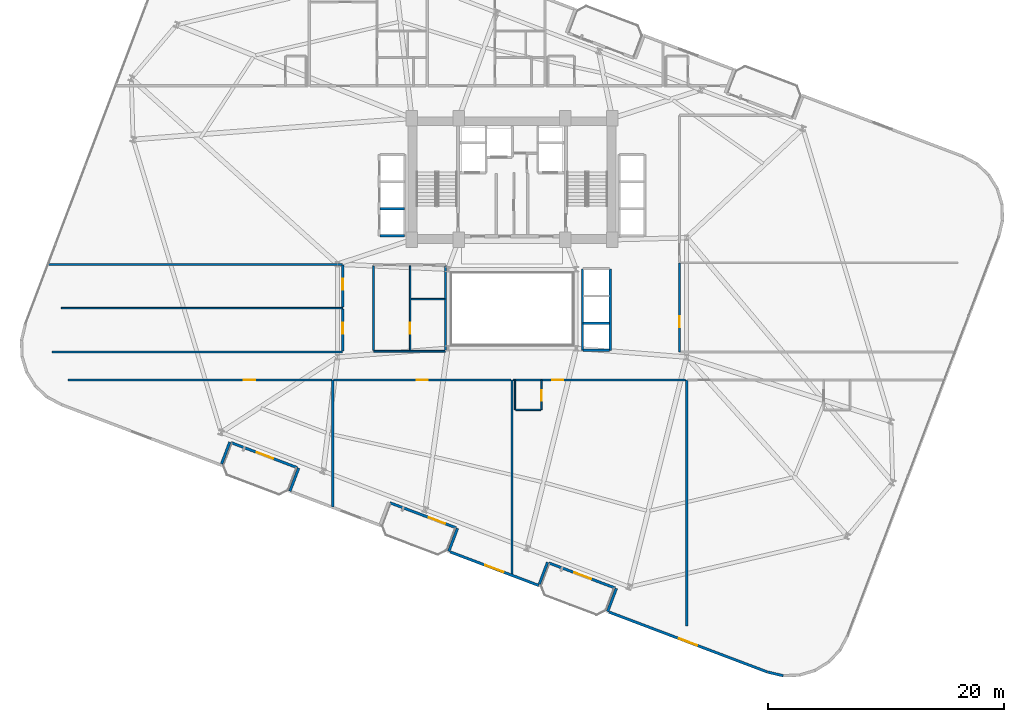
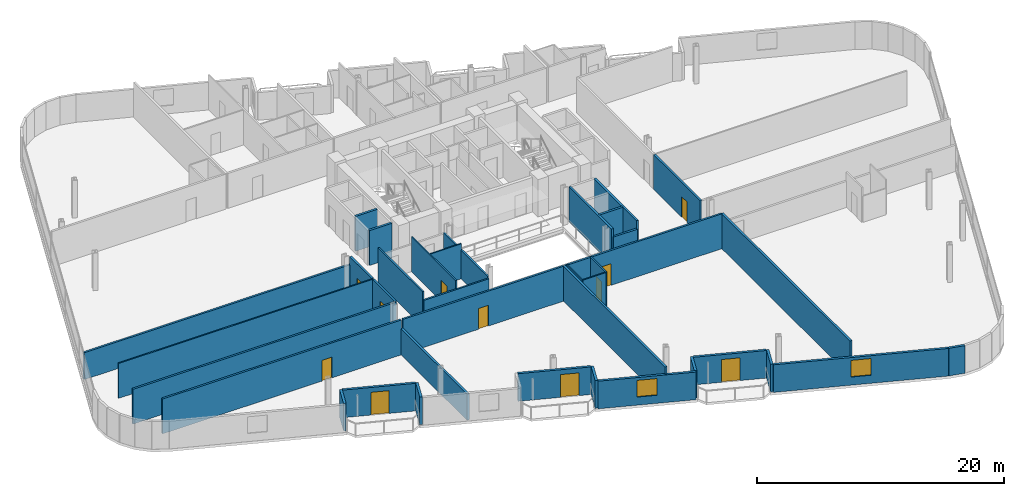
# One storey, part 17 of 24: 37 walls, 11 doors, 2 windows, 13 openings.
"""IFC4 building model written with IfcOpenShell, lengths in metres."""

from ifc_helpers import new_model, si_unit, direction, frame, frame_2d, origin, place, context, subcontext, project, spatial, rectangle, extrude, material, layer, layer_set, type_object, element, fill, save


model = new_model("IFC4")

# Units and contexts
model_context = context("Model", 3, precision=1e-05, world=origin(), true_north=direction((0.0, 1.0)))
body_context = subcontext(model_context, "Body", "Model", "MODEL_VIEW")
ifc_project = project(units=[si_unit("LENGTHUNIT", "METRE"), si_unit("AREAUNIT", "SQUARE_METRE"), si_unit("VOLUMEUNIT", "CUBIC_METRE"), si_unit("PLANEANGLEUNIT", "RADIAN"), si_unit("MASSUNIT", "GRAM", prefix="KILO")], contexts=[model_context])

# Site, building, storey
site_placement = place(None, origin())
site = spatial("IfcSite", under=ifc_project, at=site_placement, CompositionType="ELEMENT")
building_placement = place(site_placement, origin())
building = spatial("IfcBuilding", under=site, at=building_placement, Name="Varnelok Gate Tower", CompositionType="ELEMENT")
storey_placement = place(building_placement, frame((0.0, 0.0, 102.10009765625)))
storey = spatial("IfcBuildingStorey", under=building, at=storey_placement, Name="L25", CompositionType="ELEMENT", Elevation=102.10009765625)

# Wall, opening, door
ifc_material_1 = material(Name="Concrete C45/55", Category="concrete")
ifc_layer_1 = layer(ifc_material_1, 0.219970703125)
ifc_layer_set_1 = layer_set([ifc_layer_1], Name="Concrete C45/55")
wall_type_1 = type_object("IfcWallType", Name="EW-BALC-220", PredefinedType="SOLIDWALL", material=ifc_layer_set_1)
wall_1_placement = place(storey_placement, frame((21.00048828125, 9.42529296875, 0.0), z_axis=(0.0, 0.0, 1.0), x_axis=(-0.93521416643, 0.354082565101, 0.0)))
wall_1 = element("IfcWall", 1, at=wall_1_placement, inside=storey, type_object=wall_type_1, Name="L25 South Terrace Envelope Wall 1", PredefinedType="SOLIDWALL", context=body_context, shape_type="SweptSolid", body=[
    extrude(rectangle(XDim=6.0, YDim=0.219970703125, at=frame_2d((3.0, 0.0))), origin(), (0.0, 0.0, 1.0), 2.72998046875),
])
opening_1_placement = place(wall_1_placement, frame((2.176025390625, 0.0, 0.0)))
opening_1 = element("IfcOpeningElement", 2, at=opening_1_placement, cuts=wall_1, Name="Opening BD-1", PredefinedType="OPENING", context=body_context, shape_type="SweptSolid", body=[
    extrude(rectangle(XDim=1.5, YDim=2.25, at=frame_2d((0.75, 1.125))), frame((0.0, 0.119873046875, 0.0), z_axis=(0.0, -1.0, 0.0), x_axis=(1.0, 0.0, 0.0)), (0.0, 0.0, 1.0), 0.239990234375),
])
ifc_material_2 = material(Name="Anodized Aluminum Alloy 6063-T6", Category="aluminium")
door_type_1 = type_object("IfcDoorType", Name="DR-EXT-BALC1500", OperationType="NOTDEFINED", PredefinedType="DOOR", material=ifc_material_2)
door_1_placement = place(opening_1_placement, origin())
door_1 = element("IfcDoor", 3, at=door_1_placement, inside=storey, type_object=door_type_1, Name="L25 South Balcony Glazed Door 1", OperationType="SINGLE_SWING_RIGHT", OverallHeight=2.25, OverallWidth=1.5, PredefinedType="DOOR", context=body_context, shape_type="SweptSolid", body=[
    extrude(rectangle(XDim=1.5, YDim=2.25, at=frame_2d((0.75, 1.125))), frame((0.0, 0.02490234375, 0.0), z_axis=(0.0, -1.0, 0.0), x_axis=(1.0, 0.0, 0.0)), (0.0, 0.0, 1.0), 0.050048828125),
])
fill(opening_1, door_1)

wall_2_placement = place(storey_placement, frame((34.4677734375, 4.326904296875, 0.0), z_axis=(0.0, 0.0, 1.0), x_axis=(-0.9352192676, 0.354069091436, 0.0)))
wall_2 = element("IfcWall", 4, at=wall_2_placement, inside=storey, type_object=wall_type_1, Name="L25 South Terrace Envelope Wall 2", PredefinedType="SOLIDWALL", context=body_context, shape_type="SweptSolid", body=[
    extrude(rectangle(XDim=6.000244140625, YDim=0.219970703125, at=frame_2d((3.0, 0.0))), origin(), (0.0, 0.0, 1.0), 2.72998046875),
])
opening_2_placement = place(wall_2_placement, frame((0.991943359375, 0.0, 0.0)))
opening_2 = element("IfcOpeningElement", 5, at=opening_2_placement, cuts=wall_2, Name="Opening BD-1", PredefinedType="OPENING", context=body_context, shape_type="SweptSolid", body=[
    extrude(rectangle(XDim=1.5, YDim=2.25, at=frame_2d((0.75, 1.125))), frame((0.0, 0.119873046875, 0.0), z_axis=(0.0, -1.0, 0.0), x_axis=(1.0, 0.0, 0.0)), (0.0, 0.0, 1.0), 0.239990234375),
])
door_2_placement = place(opening_2_placement, origin())
door_2 = element("IfcDoor", 6, at=door_2_placement, inside=storey, type_object=door_type_1, Name="L25 South Balcony Glazed Door 2", OperationType="SINGLE_SWING_LEFT", OverallHeight=2.25, OverallWidth=1.5, PredefinedType="DOOR", context=body_context, shape_type="SweptSolid", body=[
    extrude(rectangle(XDim=1.5, YDim=2.25, at=frame_2d((0.75, 1.125))), frame((0.0, 0.02490234375, 0.0), z_axis=(0.0, -1.0, 0.0), x_axis=(1.0, 0.0, 0.0)), (0.0, 0.0, 1.0), 0.050048828125),
])
fill(opening_2, door_2)

wall_3_placement = place(storey_placement, frame((47.934814453125, -0.771484375, 0.0), z_axis=(0.0, 0.0, 1.0), x_axis=(-0.935227640088, 0.354046976001, 0.0)))
wall_3 = element("IfcWall", 7, at=wall_3_placement, inside=storey, type_object=wall_type_1, Name="L25 South Terrace Envelope Wall 3", PredefinedType="SOLIDWALL", context=body_context, shape_type="SweptSolid", body=[
    extrude(rectangle(XDim=6.0, YDim=0.219970703125, at=frame_2d((3.0, 0.0))), origin(), (0.0, 0.0, 1.0), 2.72998046875),
])
opening_3_placement = place(wall_3_placement, frame((2.176025390625, 0.0, 0.0)))
opening_3 = element("IfcOpeningElement", 8, at=opening_3_placement, cuts=wall_3, Name="Opening BD-1", PredefinedType="OPENING", context=body_context, shape_type="SweptSolid", body=[
    extrude(rectangle(XDim=1.5, YDim=2.25, at=frame_2d((0.75, 1.125))), frame((0.0, 0.119873046875, 0.0), z_axis=(0.0, -1.0, 0.0), x_axis=(1.0, 0.0, 0.0)), (0.0, 0.0, 1.0), 0.239990234375),
])
door_3_placement = place(opening_3_placement, origin())
door_3 = element("IfcDoor", 9, at=door_3_placement, inside=storey, type_object=door_type_1, Name="L25 South Balcony Glazed Door 3", OperationType="SINGLE_SWING_RIGHT", OverallHeight=2.25, OverallWidth=1.5, PredefinedType="DOOR", context=body_context, shape_type="SweptSolid", body=[
    extrude(rectangle(XDim=1.5, YDim=2.25, at=frame_2d((0.75, 1.125))), frame((0.0, 0.02490234375, 0.0), z_axis=(0.0, -1.0, 0.0), x_axis=(1.0, 0.0, 0.0)), (0.0, 0.0, 1.0), 0.050048828125),
])
fill(opening_3, door_3)

# Walls
wall_4_placement = place(storey_placement, frame((14.581298828125, 9.754638671875, 0.0), z_axis=(0.0, 0.0, 1.0), x_axis=(0.354061611705, 0.935222099352, 0.0)))
element("IfcWall", 10, at=wall_4_placement, inside=storey, type_object=wall_type_1, Name="L25 Perimeter Facade Closure Wall 8", PredefinedType="SOLIDWALL", context=body_context, shape_type="SweptSolid", body=[
    extrude(rectangle(XDim=1.974853515625, YDim=0.219970703125, at=frame_2d((0.9873046875, 0.0))), origin(), (0.0, 0.0, 1.0), 2.72998046875),
])
wall_5_placement = place(storey_placement, frame((21.1162109375, 9.392333984375, 0.0), z_axis=(0.0, 0.0, 1.0), x_axis=(-0.353988291547, -0.935249854022, 0.0)))
element("IfcWall", 11, at=wall_5_placement, inside=storey, type_object=wall_type_1, Name="L25 Perimeter Facade Closure Wall 9", PredefinedType="SOLIDWALL", context=body_context, shape_type="SweptSolid", body=[
    extrude(rectangle(XDim=2.10009765625, YDim=0.219970703125, at=frame_2d((1.050048828125, 0.0))), origin(), (0.0, 0.0, 1.0), 2.72998046875),
])
wall_6_placement = place(storey_placement, frame((34.58349609375, 4.293701171875, 0.0), z_axis=(0.0, 0.0, 1.0), x_axis=(-0.354128469405, -0.935196785258, 0.0)))
element("IfcWall", 12, at=wall_6_placement, inside=storey, type_object=wall_type_1, Name="L25 Perimeter Facade Closure Wall 12", PredefinedType="SOLIDWALL", context=body_context, shape_type="SweptSolid", body=[
    extrude(rectangle(XDim=2.099853515625, YDim=0.219970703125, at=frame_2d((1.0498046875, 0.0))), origin(), (0.0, 0.0, 1.0), 2.72998046875),
])

# Wall, opening, window
wall_7_placement = place(storey_placement, frame((33.956787109375, 2.28564453125, 0.0), z_axis=(0.0, 0.0, 1.0), x_axis=(0.935220736163, -0.354065212427, 0.0)))
wall_7 = element("IfcWall", 13, at=wall_7_placement, inside=storey, type_object=wall_type_1, Name="L25 Perimeter Facade Closure Wall 13", PredefinedType="SOLIDWALL", context=body_context, shape_type="SweptSolid", body=[
    extrude(rectangle(XDim=8.03515625, YDim=0.219970703125, at=frame_2d((4.017578125, 0.0))), origin(), (0.0, 0.0, 1.0), 2.72998046875),
])
opening_4_placement = place(wall_7_placement, frame((3.1923828125, 0.0, 0.800048828125)))
opening_4 = element("IfcOpeningElement", 14, at=opening_4_placement, cuts=wall_7, Name="Opening WN3", PredefinedType="OPENING", context=body_context, shape_type="SweptSolid", body=[
    extrude(rectangle(XDim=1.64990234375, YDim=1.64990234375, at=frame_2d((0.824951171875, 0.824951171875))), frame((0.0, 0.119873046875, 0.0), z_axis=(0.0, -1.0, 0.0), x_axis=(1.0, 0.0, 0.0)), (0.0, 0.0, 1.0), 0.239990234375),
])
ifc_material_3 = material(Name="Low-E Laminated Double Glazing IGU", Category="glass")
window_type = type_object("IfcWindowType", Name="WN-HTL-1650", PartitioningType="SINGLE_PANEL", PredefinedType="WINDOW", material=ifc_material_3)
window_1_placement = place(opening_4_placement, origin())
window_1 = element("IfcWindow", 15, at=window_1_placement, inside=storey, type_object=window_type, Name="L25 Perimeter Vision Window 13", OverallHeight=1.64990234375, OverallWidth=1.64990234375, PartitioningType="SINGLE_PANEL", PredefinedType="WINDOW", context=body_context, shape_type="SweptSolid", body=[
    extrude(rectangle(XDim=1.64990234375, YDim=1.64990234375, at=frame_2d((0.824951171875, 0.824951171875))), frame((0.0, 0.030029296875, 0.0), z_axis=(0.0, -1.0, 0.0), x_axis=(1.0, 0.0, 0.0)), (0.0, 0.0, 1.0), 0.06005859375),
])
fill(opening_4, window_1)

# Walls
wall_8_placement = place(storey_placement, frame((41.515625, -0.4423828125, 0.0), z_axis=(0.0, 0.0, 1.0), x_axis=(0.354061611705, 0.935222099352, 0.0)))
element("IfcWall", 16, at=wall_8_placement, inside=storey, type_object=wall_type_1, Name="L25 Perimeter Facade Closure Wall 14", PredefinedType="SOLIDWALL", context=body_context, shape_type="SweptSolid", body=[
    extrude(rectangle(XDim=1.974853515625, YDim=0.219970703125, at=frame_2d((0.9873046875, 0.0))), origin(), (0.0, 0.0, 1.0), 2.72998046875),
])
wall_9_placement = place(storey_placement, frame((48.050537109375, -0.8046875, 0.0), z_axis=(0.0, 0.0, 1.0), x_axis=(-0.353988291547, -0.935249854022, 0.0)))
element("IfcWall", 17, at=wall_9_placement, inside=storey, type_object=wall_type_1, Name="L25 Perimeter Facade Closure Wall 15", PredefinedType="SOLIDWALL", context=body_context, shape_type="SweptSolid", body=[
    extrude(rectangle(XDim=2.10009765625, YDim=0.219970703125, at=frame_2d((1.050048828125, 0.0))), origin(), (0.0, 0.0, 1.0), 2.72998046875),
])

# Wall, opening, window
wall_10_placement = place(storey_placement, frame((47.424072265625, -2.81298828125, 0.0), z_axis=(0.0, 0.0, 1.0), x_axis=(0.935225962032, -0.354051408614, 0.0)))
wall_10 = element("IfcWall", 18, at=wall_10_placement, inside=storey, type_object=wall_type_1, Name="L25 Perimeter Facade Closure Wall 16", PredefinedType="SOLIDWALL", context=body_context, shape_type="SweptSolid", body=[
    extrude(rectangle(XDim=14.346923828125, YDim=0.219970703125, at=frame_2d((7.17333984375, 0.0))), origin(), (0.0, 0.0, 1.0), 2.72998046875),
])
opening_5_placement = place(wall_10_placement, frame((6.348388671875, 0.0, 0.800048828125)))
opening_5 = element("IfcOpeningElement", 19, at=opening_5_placement, cuts=wall_10, Name="Opening WN3", PredefinedType="OPENING", context=body_context, shape_type="SweptSolid", body=[
    extrude(rectangle(XDim=1.64990234375, YDim=1.64990234375, at=frame_2d((0.824951171875, 0.824951171875))), frame((0.0, 0.119873046875, 0.0), z_axis=(0.0, -1.0, 0.0), x_axis=(1.0, 0.0, 0.0)), (0.0, 0.0, 1.0), 0.239990234375),
])
window_2_placement = place(opening_5_placement, origin())
window_2 = element("IfcWindow", 20, at=window_2_placement, inside=storey, type_object=window_type, Name="L25 Perimeter Vision Window 16", OverallHeight=1.64990234375, OverallWidth=1.64990234375, PartitioningType="SINGLE_PANEL", PredefinedType="WINDOW", context=body_context, shape_type="SweptSolid", body=[
    extrude(rectangle(XDim=1.64990234375, YDim=1.64990234375, at=frame_2d((0.824951171875, 0.824951171875))), frame((0.0, 0.030029296875, 0.0), z_axis=(0.0, -1.0, 0.0), x_axis=(1.0, 0.0, 0.0)), (0.0, 0.0, 1.0), 0.06005859375),
])
fill(opening_5, window_2)

# Wall
wall_11_placement = place(storey_placement, frame((60.8662109375, -7.8984375, 0.0), z_axis=(0.0, 0.0, 1.0), x_axis=(0.973405403345, -0.229089329169, 0.0)))
element("IfcWall", 21, at=wall_11_placement, inside=storey, type_object=wall_type_1, Name="L25 Perimeter Facade Closure Wall 17", PredefinedType="SOLIDWALL", context=body_context, shape_type="SweptSolid", body=[
    extrude(rectangle(XDim=1.36083984375, YDim=0.219970703125, at=frame_2d((0.680419921875, 0.0))), origin(), (0.0, 0.0, 1.0), 2.72998046875),
])

# Wall, opening, door
ifc_material_4 = material(Name="Gypsum Plasterboard Acoustic Partition", Category="gypsum")
ifc_layer_2 = layer(ifc_material_4, 0.179931640625)
ifc_layer_set_2 = layer_set([ifc_layer_2], Name="Gypsum Plasterboard Acoustic Partition")
wall_type_2 = type_object("IfcWallType", Name="PW-CORR-180", PredefinedType="PARTITIONING", material=ifc_layer_set_2)
wall_12_placement = place(storey_placement, frame((1.580078125, 16.85009765625, 0.0), z_axis=(0.0, 0.0, 1.0), x_axis=(1.0, 0.0, 0.0)))
wall_12 = element("IfcWall", 22, at=wall_12_placement, inside=storey, type_object=wall_type_2, Name="Interior Partition", PredefinedType="PARTITIONING", context=body_context, shape_type="SweptSolid", body=[
    extrude(rectangle(XDim=22.33984375, YDim=0.179931640625, at=frame_2d((11.169921875, 0.0))), origin(), (0.0, 0.0, 1.0), 3.449951171875),
])
opening_6_placement = place(wall_12_placement, frame((14.89501953125, 0.0, 0.0)))
opening_6 = element("IfcOpeningElement", 23, at=opening_6_placement, cuts=wall_12, Name="Opening D-I2", PredefinedType="OPENING", context=body_context, shape_type="SweptSolid", body=[
    extrude(rectangle(XDim=0.949951171875, YDim=2.050048828125, at=frame_2d((0.47509765625, 1.02490234375))), frame((0.0, 0.099853515625, 0.0), z_axis=(0.0, -1.0, 0.0), x_axis=(1.0, 0.0, 0.0)), (0.0, 0.0, 1.0), 0.199951171875),
])
ifc_material_5 = material(Name="Engineered Hardwood Timber", Category="wood")
door_type_2 = type_object("IfcDoorType", Name="DR-INT-950", OperationType="NOTDEFINED", PredefinedType="DOOR", material=ifc_material_5)
door_4_placement = place(opening_6_placement, origin())
door_4 = element("IfcDoor", 24, at=door_4_placement, inside=storey, type_object=door_type_2, Name="L25 Private Owners Horizon Club Door", OperationType="SINGLE_SWING_LEFT", OverallHeight=2.050048828125, OverallWidth=0.949951171875, PredefinedType="DOOR", context=body_context, shape_type="SweptSolid", body=[
    extrude(rectangle(XDim=0.949951171875, YDim=2.050048828125, at=frame_2d((0.47509765625, 1.02490234375))), frame((0.0, 0.02490234375, 0.0), z_axis=(0.0, -1.0, 0.0), x_axis=(1.0, 0.0, 0.0)), (0.0, 0.0, 1.0), 0.050048828125),
])
fill(opening_6, door_4)

wall_13_placement = place(storey_placement, frame((24.080078125, 16.85009765625, 0.0), z_axis=(0.0, 0.0, 1.0), x_axis=(1.0, 0.0, 0.0)))
wall_13 = element("IfcWall", 25, at=wall_13_placement, inside=storey, type_object=wall_type_2, Name="Interior Partition", PredefinedType="PARTITIONING", context=body_context, shape_type="SweptSolid", body=[
    extrude(rectangle(XDim=15.0400390625, YDim=0.179931640625, at=frame_2d((7.52001953125, 0.0))), origin(), (0.0, 0.0, 1.0), 3.449951171875),
])
opening_7_placement = place(wall_13_placement, frame((7.044921875, 0.0, 0.0)))
opening_7 = element("IfcOpeningElement", 26, at=opening_7_placement, cuts=wall_13, Name="Opening D-I2", PredefinedType="OPENING", context=body_context, shape_type="SweptSolid", body=[
    extrude(rectangle(XDim=0.949951171875, YDim=2.050048828125, at=frame_2d((0.47509765625, 1.02490234375))), frame((0.0, 0.099853515625, 0.0), z_axis=(0.0, -1.0, 0.0), x_axis=(1.0, 0.0, 0.0)), (0.0, 0.0, 1.0), 0.199951171875),
])
door_5_placement = place(opening_7_placement, origin())
door_5 = element("IfcDoor", 27, at=door_5_placement, inside=storey, type_object=door_type_2, Name="L25 Sky Library Door", OperationType="SINGLE_SWING_LEFT", OverallHeight=2.050048828125, OverallWidth=0.949951171875, PredefinedType="DOOR", context=body_context, shape_type="SweptSolid", body=[
    extrude(rectangle(XDim=0.949951171875, YDim=2.050048828125, at=frame_2d((0.47509765625, 1.02490234375))), frame((0.0, 0.02490234375, 0.0), z_axis=(0.0, -1.0, 0.0), x_axis=(1.0, 0.0, 0.0)), (0.0, 0.0, 1.0), 0.050048828125),
])
fill(opening_7, door_5)

wall_14_placement = place(storey_placement, frame((39.280029296875, 16.85009765625, 0.0), z_axis=(0.0, 0.0, 1.0), x_axis=(1.0, 0.0, 0.0)))
wall_14 = element("IfcWall", 28, at=wall_14_placement, inside=storey, type_object=wall_type_2, Name="Interior Partition", PredefinedType="PARTITIONING", context=body_context, shape_type="SweptSolid", body=[
    extrude(rectangle(XDim=14.639892578125, YDim=0.179931640625, at=frame_2d((7.31982421875, 0.0))), origin(), (0.0, 0.0, 1.0), 3.449951171875),
])
opening_8_placement = place(wall_14_placement, frame((3.322021484375, 0.0, 0.0)))
opening_8 = element("IfcOpeningElement", 29, at=opening_8_placement, cuts=wall_14, Name="Opening D-HT", PredefinedType="OPENING", context=body_context, shape_type="SweptSolid", body=[
    extrude(rectangle(XDim=0.949951171875, YDim=2.14990234375, at=frame_2d((0.47509765625, 1.074951171875))), frame((0.0, 0.099853515625, 0.0), z_axis=(0.0, -1.0, 0.0), x_axis=(1.0, 0.0, 0.0)), (0.0, 0.0, 1.0), 0.199951171875),
])
door_type_3 = type_object("IfcDoorType", Name="DR-HTL-950", OperationType="NOTDEFINED", PredefinedType="DOOR", material=ifc_material_5)
door_6_placement = place(opening_8_placement, origin())
door_6 = element("IfcDoor", 30, at=door_6_placement, inside=storey, type_object=door_type_3, Name="L25 Guest Room 03 Entrance Door", OperationType="SINGLE_SWING_RIGHT", OverallHeight=2.14990234375, OverallWidth=0.949951171875, PredefinedType="DOOR", context=body_context, shape_type="SweptSolid", body=[
    extrude(rectangle(XDim=0.949951171875, YDim=2.14990234375, at=frame_2d((0.47509765625, 1.074951171875))), frame((0.0, 0.02490234375, 0.0), z_axis=(0.0, -1.0, 0.0), x_axis=(1.0, 0.0, 0.0)), (0.0, 0.0, 1.0), 0.050048828125),
])
fill(opening_8, door_6)

wall_15_placement = place(storey_placement, frame((24.85009765625, 19.300048828125, 0.0), z_axis=(0.0, 0.0, 1.0), x_axis=(0.0, 1.0, 0.0)))
wall_15 = element("IfcWall", 31, at=wall_15_placement, inside=storey, type_object=wall_type_2, Name="Interior Partition", PredefinedType="PARTITIONING", context=body_context, shape_type="SweptSolid", body=[
    extrude(rectangle(XDim=3.570068359375, YDim=0.179931640625, at=frame_2d((1.78515625, 0.0))), origin(), (0.0, 0.0, 1.0), 3.449951171875),
])
opening_9_placement = place(wall_15_placement, frame((1.49951171875, 0.0, 0.0)))
opening_9 = element("IfcOpeningElement", 32, at=opening_9_placement, cuts=wall_15, Name="Opening D-I3", PredefinedType="OPENING", context=body_context, shape_type="SweptSolid", body=[
    extrude(rectangle(XDim=0.919921875, YDim=2.050048828125, at=frame_2d((0.4599609375, 1.02490234375))), frame((0.0, 0.099853515625, 0.0), z_axis=(0.0, -1.0, 0.0), x_axis=(1.0, 0.0, 0.0)), (0.0, 0.0, 1.0), 0.199951171875),
])
door_type_4 = type_object("IfcDoorType", Name="DR-INT-920", OperationType="NOTDEFINED", PredefinedType="DOOR", material=ifc_material_5)
door_7_placement = place(opening_9_placement, origin())
door_7 = element("IfcDoor", 33, at=door_7_placement, inside=storey, type_object=door_type_4, Name="L25 West Wing Room 1 Door", OperationType="SINGLE_SWING_LEFT", OverallHeight=2.050048828125, OverallWidth=0.919921875, PredefinedType="DOOR", context=body_context, shape_type="SweptSolid", body=[
    extrude(rectangle(XDim=0.919921875, YDim=2.050048828125, at=frame_2d((0.4599609375, 1.02490234375))), frame((0.0, 0.02490234375, 0.0), z_axis=(0.0, -1.0, 0.0), x_axis=(1.0, 0.0, 0.0)), (0.0, 0.0, 1.0), 0.050048828125),
])
fill(opening_9, door_7)

wall_16_placement = place(storey_placement, frame((24.85009765625, 23.030029296875, 0.0), z_axis=(0.0, 0.0, 1.0), x_axis=(0.0, 1.0, 0.0)))
wall_16 = element("IfcWall", 34, at=wall_16_placement, inside=storey, type_object=wall_type_2, Name="Interior Partition", PredefinedType="PARTITIONING", context=body_context, shape_type="SweptSolid", body=[
    extrude(rectangle(XDim=3.570068359375, YDim=0.179931640625, at=frame_2d((1.78515625, 0.0))), origin(), (0.0, 0.0, 1.0), 3.449951171875),
])
opening_10_placement = place(wall_16_placement, frame((1.49951171875, 0.0, 0.0)))
opening_10 = element("IfcOpeningElement", 35, at=opening_10_placement, cuts=wall_16, Name="Opening D-I3", PredefinedType="OPENING", context=body_context, shape_type="SweptSolid", body=[
    extrude(rectangle(XDim=0.919921875, YDim=2.050048828125, at=frame_2d((0.4599609375, 1.02490234375))), frame((0.0, 0.099853515625, 0.0), z_axis=(0.0, -1.0, 0.0), x_axis=(1.0, 0.0, 0.0)), (0.0, 0.0, 1.0), 0.199951171875),
])
door_8_placement = place(opening_10_placement, origin())
door_8 = element("IfcDoor", 36, at=door_8_placement, inside=storey, type_object=door_type_4, Name="L25 West Wing Room 2 Door", OperationType="SINGLE_SWING_RIGHT", OverallHeight=2.050048828125, OverallWidth=0.919921875, PredefinedType="DOOR", context=body_context, shape_type="SweptSolid", body=[
    extrude(rectangle(XDim=0.919921875, YDim=2.050048828125, at=frame_2d((0.4599609375, 1.02490234375))), frame((0.0, 0.02490234375, 0.0), z_axis=(0.0, -1.0, 0.0), x_axis=(1.0, 0.0, 0.0)), (0.0, 0.0, 1.0), 0.050048828125),
])
fill(opening_10, door_8)

# Walls
wall_17_placement = place(storey_placement, frame((0.199951171875, 19.239990234375, 0.0), z_axis=(0.0, 0.0, 1.0), x_axis=(1.0, 0.0, 0.0)))
element("IfcWall", 37, at=wall_17_placement, inside=storey, type_object=wall_type_2, Name="Interior Partition", PredefinedType="PARTITIONING", context=body_context, shape_type="SweptSolid", body=[
    extrude(rectangle(XDim=24.650146484375, YDim=0.179931640625, at=frame_2d((12.3251953125, 0.0))), origin(), (0.0, 0.0, 1.0), 3.449951171875),
])
wall_18_placement = place(storey_placement, frame((-0.0859375, 26.659912109375, 0.0), z_axis=(0.0, 0.0, 1.0), x_axis=(1.0, 0.0, 0.0)))
element("IfcWall", 38, at=wall_18_placement, inside=storey, type_object=wall_type_2, Name="Interior Partition", PredefinedType="PARTITIONING", context=body_context, shape_type="SweptSolid", body=[
    extrude(rectangle(XDim=24.93603515625, YDim=0.179931640625, at=frame_2d((12.468017578125, 0.0))), origin(), (0.0, 0.0, 1.0), 2.661865234375),
])

# Wall, opening, door
wall_19_placement = place(storey_placement, frame((53.389892578125, 19.239990234375, 0.0), z_axis=(0.0, 0.0, 1.0), x_axis=(0.0, 1.0, 0.0)))
wall_19 = element("IfcWall", 39, at=wall_19_placement, inside=storey, type_object=wall_type_2, Name="Interior Partition", PredefinedType="PARTITIONING", context=body_context, shape_type="SweptSolid", body=[
    extrude(rectangle(XDim=7.52001953125, YDim=0.179931640625, at=frame_2d((3.760009765625, 0.0))), origin(), (0.0, 0.0, 1.0), 3.449951171875),
])
opening_11_placement = place(wall_19_placement, frame((2.10009765625, 0.0, 0.0)))
opening_11 = element("IfcOpeningElement", 40, at=opening_11_placement, cuts=wall_19, Name="Opening D-I3", PredefinedType="OPENING", context=body_context, shape_type="SweptSolid", body=[
    extrude(rectangle(XDim=0.919921875, YDim=2.050048828125, at=frame_2d((0.4599609375, 1.02490234375))), frame((0.0, 0.099853515625, 0.0), z_axis=(0.0, -1.0, 0.0), x_axis=(1.0, 0.0, 0.0)), (0.0, 0.0, 1.0), 0.199951171875),
])
door_9_placement = place(opening_11_placement, origin())
door_9 = element("IfcDoor", 41, at=door_9_placement, inside=storey, type_object=door_type_4, Name="L25 East Studio Door", OperationType="SINGLE_SWING_RIGHT", OverallHeight=2.050048828125, OverallWidth=0.919921875, PredefinedType="DOOR", context=body_context, shape_type="SweptSolid", body=[
    extrude(rectangle(XDim=0.919921875, YDim=2.050048828125, at=frame_2d((0.4599609375, 1.02490234375))), frame((0.0, 0.02490234375, 0.0), z_axis=(0.0, -1.0, 0.0), x_axis=(1.0, 0.0, 0.0)), (0.0, 0.0, 1.0), 0.050048828125),
])
fill(opening_11, door_9)

# Wall
ifc_layer_3 = layer(ifc_material_4, 0.114990234375)
ifc_layer_set_3 = layer_set([ifc_layer_3], Name="Gypsum Plasterboard Acoustic Partition")
wall_type_3 = type_object("IfcWallType", Name="PW-ENS-125", PredefinedType="PARTITIONING", material=ifc_layer_set_3)
wall_20_placement = place(storey_placement, frame((39.5, 14.330078125, 0.0), z_axis=(0.0, 0.0, 1.0), x_axis=(1.0, 0.0, 0.0)))
element("IfcWall", 42, at=wall_20_placement, inside=storey, type_object=wall_type_3, Name="Interior Partition", PredefinedType="PARTITIONING", context=body_context, shape_type="SweptSolid", body=[
    extrude(rectangle(XDim=2.14990234375, YDim=0.114990234375, at=frame_2d((1.074951171875, 0.0))), origin(), (0.0, 0.0, 1.0), 3.449951171875),
])

# Wall, opening, door
wall_21_placement = place(storey_placement, frame((41.68994140625, 14.330078125, 0.0), z_axis=(0.0, 0.0, 1.0), x_axis=(0.0, 1.0, 0.0)))
wall_21 = element("IfcWall", 43, at=wall_21_placement, inside=storey, type_object=wall_type_3, Name="Interior Partition", PredefinedType="PARTITIONING", context=body_context, shape_type="SweptSolid", body=[
    extrude(rectangle(XDim=2.52001953125, YDim=0.114990234375, at=frame_2d((1.260009765625, 0.0))), origin(), (0.0, 0.0, 1.0), 3.449951171875),
])
opening_12_placement = place(wall_21_placement, frame((0.760009765625, 0.0, 0.0)))
opening_12 = element("IfcOpeningElement", 44, at=opening_12_placement, cuts=wall_21, Name="Opening D-WC", PredefinedType="OPENING", context=body_context, shape_type="SweptSolid", body=[
    extrude(rectangle(XDim=0.89990234375, YDim=2.050048828125, at=frame_2d((0.449951171875, 1.02490234375))), frame((0.0, 0.0673828125, 0.0), z_axis=(0.0, -1.0, 0.0), x_axis=(1.0, 0.0, 0.0)), (0.0, 0.0, 1.0), 0.135009765625),
])
door_type_5 = type_object("IfcDoorType", Name="DR-BATH-900", OperationType="NOTDEFINED", PredefinedType="DOOR", material=ifc_material_5)
door_10_placement = place(opening_12_placement, origin())
door_10 = element("IfcDoor", 45, at=door_10_placement, inside=storey, type_object=door_type_5, Name="L25 Guest En-Suite 03 Door", OperationType="SINGLE_SWING_LEFT", OverallHeight=2.050048828125, OverallWidth=0.89990234375, PredefinedType="DOOR", context=body_context, shape_type="SweptSolid", body=[
    extrude(rectangle(XDim=0.89990234375, YDim=2.050048828125, at=frame_2d((0.449951171875, 1.02490234375))), frame((0.0, 0.02490234375, 0.0), z_axis=(0.0, -1.0, 0.0), x_axis=(1.0, 0.0, 0.0)), (0.0, 0.0, 1.0), 0.050048828125),
])
fill(opening_12, door_10)

# Walls
wall_22_placement = place(storey_placement, frame((39.4599609375, 14.330078125, 0.0), z_axis=(0.0, 0.0, 1.0), x_axis=(0.0, 1.0, 0.0)))
element("IfcWall", 46, at=wall_22_placement, inside=storey, type_object=wall_type_3, Name="Interior Partition", PredefinedType="PARTITIONING", context=body_context, shape_type="SweptSolid", body=[
    extrude(rectangle(XDim=2.52001953125, YDim=0.114990234375, at=frame_2d((1.260009765625, 0.0))), origin(), (0.0, 0.0, 1.0), 3.449951171875),
])
ifc_layer_4 = layer(ifc_material_4, 0.125)
ifc_layer_set_4 = layer_set([ifc_layer_4], Name="Gypsum Plasterboard Acoustic Partition")
wall_type_4 = type_object("IfcWallType", Name="PW-PART-125", PredefinedType="PARTITIONING", material=ifc_layer_set_4)
wall_23_placement = place(storey_placement, frame((1.0, 22.949951171875, 0.0), z_axis=(0.0, 0.0, 1.0), x_axis=(1.0, 0.0, 0.0)))
element("IfcWall", 47, at=wall_23_placement, inside=storey, type_object=wall_type_4, Name="Interior Partition", PredefinedType="PARTITIONING", context=body_context, shape_type="SweptSolid", body=[
    extrude(rectangle(XDim=23.85009765625, YDim=0.125, at=frame_2d((11.925048828125, 0.0))), origin(), (0.0, 0.0, 1.0), 3.449951171875),
])

# Wall, opening, door
wall_24_placement = place(storey_placement, frame((30.56005859375, 19.3798828125, 0.0), z_axis=(0.0, 0.0, 1.0), x_axis=(0.0, 1.0, 0.0)))
wall_24 = element("IfcWall", 48, at=wall_24_placement, inside=storey, type_object=wall_type_4, Name="Interior Partition", PredefinedType="PARTITIONING", context=body_context, shape_type="SweptSolid", body=[
    extrude(rectangle(XDim=7.16015625, YDim=0.125, at=frame_2d((3.580078125, 0.0))), origin(), (0.0, 0.0, 1.0), 3.449951171875),
])
opening_13_placement = place(wall_24_placement, frame((1.39990234375, 0.0, 0.0)))
opening_13 = element("IfcOpeningElement", 49, at=opening_13_placement, cuts=wall_24, Name="Opening D-I3", PredefinedType="OPENING", context=body_context, shape_type="SweptSolid", body=[
    extrude(rectangle(XDim=0.919921875, YDim=2.050048828125, at=frame_2d((0.4599609375, 1.02490234375))), frame((0.0, 0.072509765625, 0.0), z_axis=(0.0, -1.0, 0.0), x_axis=(1.0, 0.0, 0.0)), (0.0, 0.0, 1.0), 0.14501953125),
])
door_11_placement = place(opening_13_placement, origin())
door_11 = element("IfcDoor", 50, at=door_11_placement, inside=storey, type_object=door_type_4, Name="L25 Floor Linen Store Door", OperationType="SINGLE_SWING_RIGHT", OverallHeight=2.050048828125, OverallWidth=0.919921875, PredefinedType="DOOR", context=body_context, shape_type="SweptSolid", body=[
    extrude(rectangle(XDim=0.919921875, YDim=2.050048828125, at=frame_2d((0.4599609375, 1.02490234375))), frame((0.0, 0.02490234375, 0.0), z_axis=(0.0, -1.0, 0.0), x_axis=(1.0, 0.0, 0.0)), (0.0, 0.0, 1.0), 0.050048828125),
])
fill(opening_13, door_11)

# Walls
wall_25_placement = place(storey_placement, frame((30.639892578125, 23.7099609375, 0.0), z_axis=(0.0, 0.0, 1.0), x_axis=(1.0, 0.0, 0.0)))
element("IfcWall", 51, at=wall_25_placement, inside=storey, type_object=wall_type_4, Name="Interior Partition", PredefinedType="PARTITIONING", context=body_context, shape_type="SweptSolid", body=[
    extrude(rectangle(XDim=2.880126953125, YDim=0.125, at=frame_2d((1.43994140625, 0.0))), origin(), (0.0, 0.0, 1.0), 3.449951171875),
])
ifc_layer_5 = layer(ifc_material_4, 0.14990234375)
ifc_layer_set_5 = layer_set([ifc_layer_5], Name="Gypsum Plasterboard Acoustic Partition")
wall_type_5 = type_object("IfcWallType", Name="PW-PART-150", PredefinedType="PARTITIONING", material=ifc_layer_set_5)
wall_26_placement = place(storey_placement, frame((27.4599609375, 19.300048828125, 0.0), z_axis=(0.0, 0.0, 1.0), x_axis=(1.0, 0.0, 0.0)))
element("IfcWall", 52, at=wall_26_placement, inside=storey, type_object=wall_type_5, Name="Interior Partition", PredefinedType="PARTITIONING", context=body_context, shape_type="SweptSolid", body=[
    extrude(rectangle(XDim=6.10009765625, YDim=0.14990234375, at=frame_2d((3.050048828125, 0.0))), origin(), (0.0, 0.0, 1.0), 2.661865234375),
])
wall_27_placement = place(storey_placement, frame((27.4599609375, 19.3798828125, 0.0), z_axis=(0.0, 0.0, 1.0), x_axis=(0.0, 1.0, 0.0)))
element("IfcWall", 53, at=wall_27_placement, inside=storey, type_object=wall_type_5, Name="Interior Partition", PredefinedType="PARTITIONING", context=body_context, shape_type="SweptSolid", body=[
    extrude(rectangle(XDim=7.16015625, YDim=0.14990234375, at=frame_2d((3.580078125, 0.0))), origin(), (0.0, 0.0, 1.0), 3.449951171875),
])
wall_28_placement = place(storey_placement, frame((33.56005859375, 19.3798828125, 0.0), z_axis=(0.0, 0.0, 1.0), x_axis=(0.0, 1.0, 0.0)))
element("IfcWall", 54, at=wall_28_placement, inside=storey, type_object=wall_type_5, Name="Interior Partition", PredefinedType="PARTITIONING", context=body_context, shape_type="SweptSolid", body=[
    extrude(rectangle(XDim=7.16015625, YDim=0.14990234375, at=frame_2d((3.580078125, 0.0))), origin(), (0.0, 0.0, 1.0), 2.823974609375),
])
ifc_layer_6 = layer(ifc_material_4, 0.205078125)
ifc_layer_set_6 = layer_set([ifc_layer_6], Name="Gypsum Plasterboard Acoustic Partition")
wall_type_6 = type_object("IfcWallType", Name="PW-PARTY-200", PredefinedType="PARTITIONING", material=ifc_layer_set_6)
wall_29_placement = place(storey_placement, frame((24.0, 6.076416015625, 0.0), z_axis=(0.0, 0.0, 1.0), x_axis=(0.0, 1.0, 0.0)))
element("IfcWall", 55, at=wall_29_placement, inside=storey, type_object=wall_type_6, Name="L25 South Party Wall 1", PredefinedType="PARTITIONING", context=body_context, shape_type="SweptSolid", body=[
    extrude(rectangle(XDim=10.773681640625, YDim=0.205078125, at=frame_2d((5.38671875, 0.0))), origin(), (0.0, 0.0, 1.0), 2.579833984375),
])
wall_30_placement = place(storey_placement, frame((39.199951171875, 0.322021484375, 0.0), z_axis=(0.0, 0.0, 1.0), x_axis=(0.0, 1.0, 0.0)))
element("IfcWall", 56, at=wall_30_placement, inside=storey, type_object=wall_type_6, Name="L25 South Party Wall 2", PredefinedType="PARTITIONING", context=body_context, shape_type="SweptSolid", body=[
    extrude(rectangle(XDim=16.528076171875, YDim=0.205078125, at=frame_2d((8.26416015625, 0.0))), origin(), (0.0, 0.0, 1.0), 3.449951171875),
])
wall_31_placement = place(storey_placement, frame((54.0, -4.0, 0.0), z_axis=(0.0, 0.0, 1.0), x_axis=(0.0, 1.0, 0.0)))
element("IfcWall", 57, at=wall_31_placement, inside=storey, type_object=wall_type_6, Name="L25 South Party Wall 3", PredefinedType="PARTITIONING", context=body_context, shape_type="SweptSolid", body=[
    extrude(rectangle(XDim=20.85009765625, YDim=0.205078125, at=frame_2d((10.425048828125, 0.0))), origin(), (0.0, 0.0, 1.0), 3.449951171875),
])
ifc_material_6 = material(Name="Concrete C35/45", Category="concrete")
ifc_layer_7 = layer(ifc_material_6, 0.199951171875)
ifc_layer_set_7 = layer_set([ifc_layer_7], Name="Concrete C35/45")
wall_type_7 = type_object("IfcWallType", Name="PW-SHAFT-200", PredefinedType="PARTITIONING", material=ifc_layer_set_7)
wall_32_placement = place(storey_placement, frame((28.02001953125, 31.375, 0.0), z_axis=(0.0, 0.0, 1.0), x_axis=(1.0, 0.0, 0.0)))
element("IfcWall", 58, at=wall_32_placement, inside=storey, type_object=wall_type_7, Name="L25 PL1 Divider", PredefinedType="PARTITIONING", context=body_context, shape_type="SweptSolid", body=[
    extrude(rectangle(XDim=2.06005859375, YDim=0.199951171875, at=frame_2d((1.030029296875, 0.0))), origin(), (0.0, 0.0, 1.0), 3.449951171875),
])
wall_33_placement = place(storey_placement, frame((28.0, 29.080078125, 0.0), z_axis=(0.0, 0.0, 1.0), x_axis=(1.0, 0.0, 0.0)))
element("IfcWall", 59, at=wall_33_placement, inside=storey, type_object=wall_type_7, Name="L25 PL Bank South Wall", PredefinedType="PARTITIONING", context=body_context, shape_type="SweptSolid", body=[
    extrude(rectangle(XDim=2.10009765625, YDim=0.199951171875, at=frame_2d((1.050048828125, 0.0))), origin(), (0.0, 0.0, 1.0), 3.449951171875),
])
wall_34_placement = place(storey_placement, frame((45.239990234375, 21.675048828125, 0.0), z_axis=(0.0, 0.0, 1.0), x_axis=(1.0, 0.0, 0.0)))
element("IfcWall", 60, at=wall_34_placement, inside=storey, type_object=wall_type_7, Name="L25 PH1 Divider", PredefinedType="PARTITIONING", context=body_context, shape_type="SweptSolid", body=[
    extrude(rectangle(XDim=2.219970703125, YDim=0.199951171875, at=frame_2d((1.10986328125, 0.0))), origin(), (0.0, 0.0, 1.0), 3.449951171875),
])
wall_35_placement = place(storey_placement, frame((45.239990234375, 19.3798828125, 0.0), z_axis=(0.0, 0.0, 1.0), x_axis=(1.0, 0.0, 0.0)))
element("IfcWall", 61, at=wall_35_placement, inside=storey, type_object=wall_type_7, Name="L25 PH Bank South Wall", PredefinedType="PARTITIONING", context=body_context, shape_type="SweptSolid", body=[
    extrude(rectangle(XDim=2.219970703125, YDim=0.199951171875, at=frame_2d((1.10986328125, 0.0))), origin(), (0.0, 0.0, 1.0), 2.661865234375),
])
for number, where, z_axis, x_axis, name in (
    (62, (45.179931640625, 19.3798828125, 0.0), (0.0, 0.0, 1.0), (0.0, 1.0, 0.0), "L25 PH Bank Atrium Wall"),
    (63, (47.52001953125, 19.3798828125, 0.0), (0.0, 0.0, 1.0), (0.0, 1.0, 0.0), "L25 PH Bank Front Wall"),
):
    element("IfcWall", number, at=place(storey_placement, frame(where, z_axis=z_axis, x_axis=x_axis)), inside=storey, type_object=wall_type_7, Name=name, PredefinedType="PARTITIONING", context=body_context, shape_type="SweptSolid", body=[
        extrude(rectangle(XDim=6.900146484375, YDim=0.199951171875, at=frame_2d((3.4501953125, 0.0))), origin(), (0.0, 0.0, 1.0), 3.449951171875),
    ])

save(model, "model.ifc")
